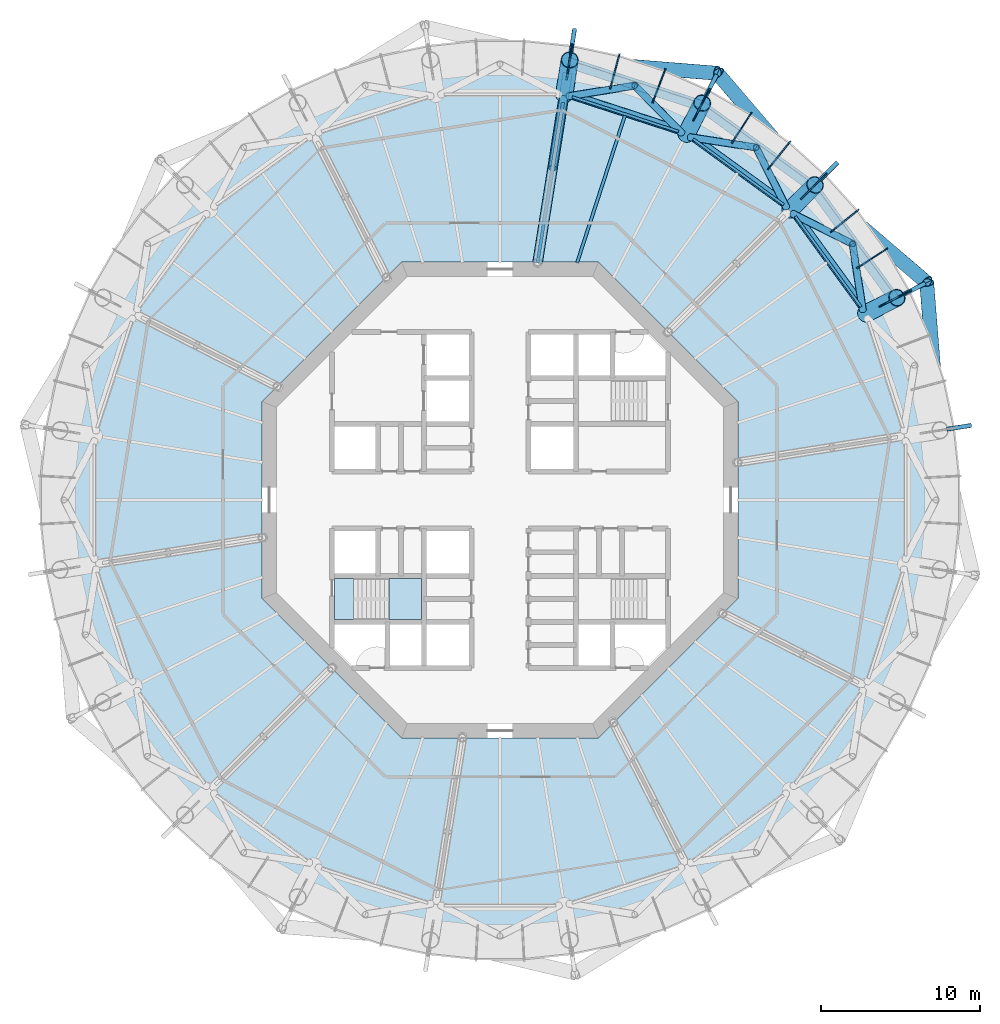
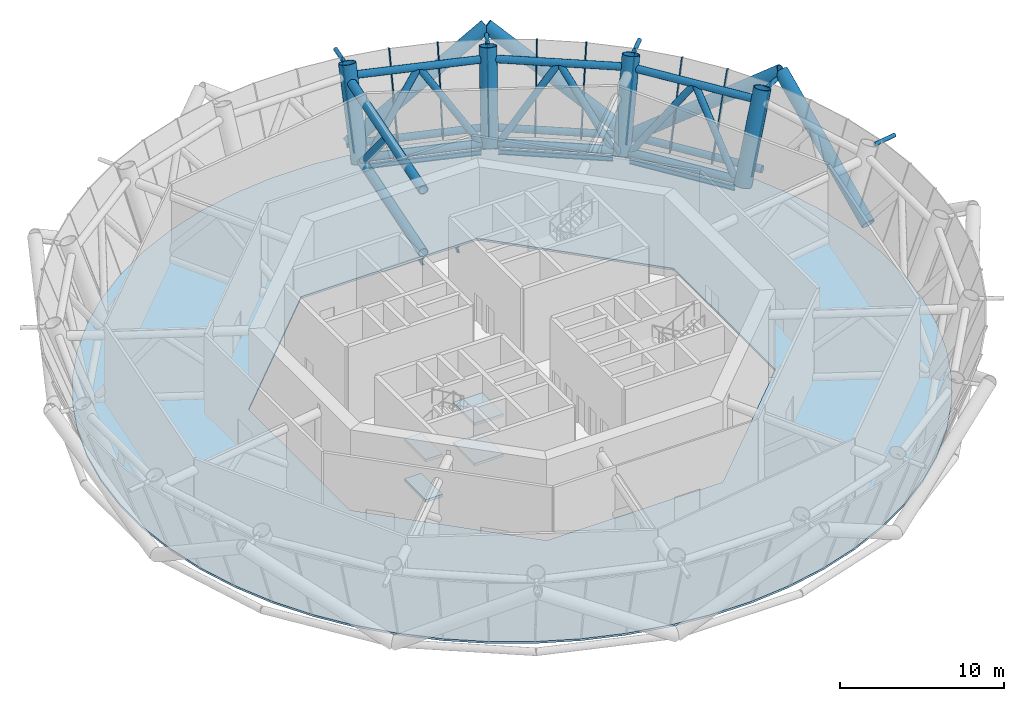
# One storey, part 6 of 15: 41 members, 5 beams, 5 slabs, 5 elements without a shape of their own.
"""IFC4 building model written with IfcOpenShell, lengths in metres."""

from ifc_helpers import new_model, si_unit, direction, frame, origin, origin_2d, place, context, subcontext, project, spatial, polyline, rectangle, circle, hollow_circle, i_section, outline, extrude, material, layer, layer_set, material_profile, profile_set, type_object, element, aggregate, save


model = new_model("IFC4")

# Units and contexts
model_context = context("Model", 3, precision=1e-05, world=origin(), true_north=direction((0.0, 1.0)))
body_context = subcontext(model_context, "Body", "Model", "MODEL_VIEW")
ifc_project = project(units=[si_unit("LENGTHUNIT", "METRE"), si_unit("AREAUNIT", "SQUARE_METRE"), si_unit("VOLUMEUNIT", "CUBIC_METRE"), si_unit("PLANEANGLEUNIT", "RADIAN"), si_unit("MASSUNIT", "GRAM", prefix="KILO")], contexts=[model_context])

# Site, building, storey
site_placement = place(None, origin())
site = spatial("IfcSite", under=ifc_project, at=site_placement, CompositionType="ELEMENT")
building_placement = place(site_placement, origin())
building = spatial("IfcBuilding", under=site, at=building_placement, Name="Entoto Ring Tower", CompositionType="ELEMENT")
storey_placement = place(building_placement, frame((0.0, 0.0, 268.0)))
storey = spatial("IfcBuildingStorey", under=building, at=storey_placement, Name="L61", CompositionType="ELEMENT", Elevation=268.0)

# Members
ifc_material_1 = material(Name="Steel S355", Category="steel")
ifc_material_profile_1 = material_profile(ifc_material_1, hollow_circle(Radius=0.449951171875, WallThickness=0.044921875, at=origin_2d()), Name="CHS 900 x 45")
ifc_material_2 = material(Name="Concrete C60/75", Category="concrete")
ifc_material_profile_2 = material_profile(ifc_material_2, circle(Radius=0.405029296875, at=origin_2d()), Name="Concrete C60/75 infill")
ifc_profile_set_1 = profile_set([ifc_material_profile_1, ifc_material_profile_2], Name="Steel S355")
member_type_1 = type_object("IfcMemberType", Name="Diagrid diagonal 900 x 45 concrete-filled tube", PredefinedType="BRACE", material=ifc_profile_set_1)
for number, where, z_axis, x_axis, name in (
    (1, (117.6552734375, 84.380126953125, 0.0), (-0.067171964206, 0.839199397204, 0.539659428675), (-0.99681187731, -0.079787726213, 0.0), "DG2 module 21 02"),
    (2, (109.799072265625, 99.799072265625, 0.0), (0.639435344437, -0.547626306831, 0.539655323657), (0.650475563514, 0.759527182707, 0.0), "DG2 module 21 03"),
    (3, (109.799072265625, 99.799072265625, 0.0), (-0.547626306831, 0.639435344437, 0.539655323657), (-0.759527182707, -0.650475563514, 0.0), "DG2 module 21 04"),
    (4, (94.380126953125, 107.6552734375, 0.0), (0.839199397204, -0.067171964206, 0.539659428675), (0.079787726213, 0.99681187731, 0.0), "DG2 module 21 05"),
):
    element("IfcMember", number, at=place(storey_placement, frame(where, z_axis=z_axis, x_axis=x_axis)), inside=storey, type_object=member_type_1, Name=name, PredefinedType="BRACE", context=body_context, shape_type="SweptSolid", body=[
        extrude(hollow_circle(Radius=0.449951171875, WallThickness=0.044921875, at=origin_2d()), origin(), (0.0, 0.0, 1.0), 11.1181640625),
    ])
ifc_material_3 = material(Name="Steel S355", Category="steel")
ifc_material_profile_3 = material_profile(ifc_material_3, hollow_circle(Radius=0.136474609375, WallThickness=0.012451171875, at=origin_2d()), Name="CHS 273 x 12.5")
ifc_material_4 = material(Name="Concrete C60/75", Category="concrete")
ifc_material_profile_4 = material_profile(ifc_material_4, circle(Radius=0.1240234375, at=origin_2d()), Name="Concrete C60/75 infill")
ifc_profile_set_2 = profile_set([ifc_material_profile_3, ifc_material_profile_4], Name="Steel S355")
member_type_2 = type_object("IfcMemberType", Name="Diagrid node strut 273 x 12.5", PredefinedType="STRUT", material=ifc_profile_set_2)
member_1_placement = place(storey_placement, frame((115.416015625, 92.949951171875, 5.71337890625), z_axis=(0.890990991259, 0.454020983541, 0.0), x_axis=(-0.454020983541, 0.890990991259, 0.0)))
element("IfcMember", 5, at=member_1_placement, inside=storey, type_object=member_type_2, Name="DS2 strut ring 21 01", PredefinedType="STRUT", context=body_context, shape_type="SweptSolid", body=[
    extrude(hollow_circle(Radius=0.136474609375, WallThickness=0.012451171875, at=origin_2d()), origin(), (0.0, 0.0, 1.0), 1.574951171875),
])
member_2_placement = place(storey_placement, frame((110.170166015625, 100.170166015625, 5.71337890625), z_axis=(0.707106781187, 0.707106781187, 0.0), x_axis=(-0.707106781187, 0.707106781187, 0.0)))
element("IfcMember", 6, at=member_2_placement, inside=storey, type_object=member_type_2, Name="DS2 strut ring 21 02", PredefinedType="STRUT", context=body_context, shape_type="SweptSolid", body=[
    extrude(hollow_circle(Radius=0.136474609375, WallThickness=0.012451171875, at=origin_2d()), origin(), (0.0, 0.0, 1.0), 1.5751953125),
])
for number, where, z_axis, x_axis, name in (
    (7, (102.949951171875, 105.416015625, 5.71337890625), (0.454020983541, 0.890990991259, 0.0), (-0.890990991259, 0.454020983541, 0.0), "DS2 strut ring 21 03"),
    (8, (94.46240234375, 108.173828125, 5.71337890625), (0.156400343382, 0.987693744331, 0.0), (-0.987693744331, 0.156400343382, 0.0), "DS2 strut ring 21 04"),
    (9, (118.173828125, 84.46240234375, 5.71337890625), (0.987693744331, 0.156400343382, 0.0), (-0.156400343382, 0.987693744331, 0.0), "DS2 strut ring 21 20"),
):
    element("IfcMember", number, at=place(storey_placement, frame(where, z_axis=z_axis, x_axis=x_axis)), inside=storey, type_object=member_type_2, Name=name, PredefinedType="STRUT", context=body_context, shape_type="SweptSolid", body=[
        extrude(hollow_circle(Radius=0.136474609375, WallThickness=0.012451171875, at=origin_2d()), origin(), (0.0, 0.0, 1.0), 1.574951171875),
    ])
ifc_material_5 = material(Name="Steel S355", Category="steel")
ifc_material_profile_5 = material_profile(ifc_material_5, hollow_circle(Radius=0.25390625, WallThickness=0.030029296875, at=origin_2d()), Name="CHS 508 x 30")
ifc_material_6 = material(Name="Concrete C60/75", Category="concrete")
ifc_material_profile_6 = material_profile(ifc_material_6, circle(Radius=0.22412109375, at=origin_2d()), Name="Concrete C60/75 infill")
ifc_profile_set_3 = profile_set([ifc_material_profile_5, ifc_material_profile_6], Name="Steel S355")
member_type_3 = type_object("IfcMemberType", Name="Diagrid ring beam 508 x 30", PredefinedType="CHORD", material=ifc_profile_set_3)
for number, where, z_axis, x_axis, name in (
    (10, (114.983642578125, 92.6630859375, 0.0), (-0.587790766961, 0.809012987705, 0.0), (-0.809012987705, -0.587790766961, 0.0), "DR2 ring 20 02"),
    (11, (109.84765625, 99.763671875, 0.0), (-0.809012987705, 0.587790766961, 0.0), (-0.587790766961, -0.809012987705, 0.0), "DR2 ring 20 03"),
    (12, (102.76904296875, 104.9296875, 0.0), (-0.951061338755, 0.309002151976, 0.0), (-0.309002151976, -0.951061338755, 0.0), "DR2 ring 20 04"),
):
    element("IfcMember", number, at=place(storey_placement, frame(where, z_axis=z_axis, x_axis=x_axis)), inside=storey, type_object=member_type_3, Name=name, PredefinedType="CHORD", context=body_context, shape_type="SweptSolid", body=[
        extrude(hollow_circle(Radius=0.25390625, WallThickness=0.030029296875, at=origin_2d()), origin(), (0.0, 0.0, 1.0), 8.880615234375),
    ])

# Beams
ifc_material_7 = material(Name="Steel S355", Category="steel")
ifc_material_profile_7 = material_profile(ifc_material_7, i_section(OverallWidth=0.169921875, OverallDepth=0.360107421875, WebThickness=0.008056640625, FlangeThickness=0.0126953125, FilletRadius=0.01806640625, at=origin_2d()), Name="IPE 360")
ifc_profile_set_4 = profile_set([ifc_material_profile_7], Name="Steel S355")
beam_type_1 = type_object("IfcBeamType", Name="Edge beam IPE 360", PredefinedType="SPANDREL", material=ifc_profile_set_4)
for number, where, z_axis, x_axis, name in (
    (13, (112.76953125, 92.181640625, -0.330078125), (-0.587797242693, 0.809008282703, 0.0), (-0.809008282703, -0.587797242693, 0.0), "Edge beam L61 02"),
    (14, (107.890625, 98.62158203125, -0.330078125), (-0.809008282703, 0.587797242693, 0.0), (-0.587797242693, -0.809008282703, 0.0), "Edge beam L61 03"),
    (15, (101.2607421875, 103.23876953125, -0.330078125), (-0.951056947905, 0.309015666013, 0.0), (-0.309015666013, -0.951056947905, 0.0), "Edge beam L61 04"),
):
    element("IfcBeam", number, at=place(storey_placement, frame(where, z_axis=z_axis, x_axis=x_axis)), inside=storey, type_object=beam_type_1, Name=name, PredefinedType="SPANDREL", context=body_context, shape_type="SweptSolid", body=[
        extrude(i_section(OverallWidth=0.169921875, OverallDepth=0.360107421875, WebThickness=0.008056640625, FlangeThickness=0.0126953125, FilletRadius=0.01806640625, at=origin_2d()), origin(), (0.0, 0.0, 1.0), 7.056884765625),
    ])

# Curtain wall, members
ifc_material_8 = material(Name="Anodised aluminium", Category="aluminium")
ifc_layer_1 = layer(ifc_material_8, 0.10009765625)
ifc_layer_set_1 = layer_set([ifc_layer_1], Name="Anodised aluminium")
curtain_wall_type = type_object("IfcCurtainWallType", Name="Louvre curtain wall system CW7", PredefinedType="NOTDEFINED", material=ifc_layer_set_1)
curtain_wall_1_placement = place(storey_placement, origin())
curtain_wall_1 = element("IfcCurtainWall", 16, at=curtain_wall_1_placement, inside=storey, type_object=curtain_wall_type, Name="CW7 L61-02", PredefinedType="NOTDEFINED")
ifc_material_9 = material(Name="Anodised aluminium", Category="aluminium")
ifc_material_profile_8 = material_profile(ifc_material_9, rectangle(XDim=0.080078125, YDim=0.199951171875, at=origin_2d()), Name="Mullion 80 x 200 mm anodised aluminium")
ifc_profile_set_5 = profile_set([ifc_material_profile_8], Name="Anodised aluminium")
member_type_4 = type_object("IfcMemberType", Name="Mullion 80 x 200 mm anodised aluminium", PredefinedType="MULLION", material=ifc_profile_set_5)
member_3_placement = place(storey_placement, frame((113.985107421875, 92.220947265625, 0.034423828125), z_axis=(0.306721620039, 0.156294806902, 0.938879002394), x_axis=(-0.454018947449, 0.890992028784, 0.0)))
member_3 = element("IfcMember", 17, at=member_3_placement, type_object=member_type_4, Name="MULLION L61-03", PredefinedType="MULLION", context=body_context, shape_type="SweptSolid", body=[
    extrude(rectangle(XDim=0.080078125, YDim=0.199951171875, at=origin_2d()), origin(), (0.0, 0.0, 1.0), 6.15771484375),
])
member_4_placement = place(storey_placement, frame((112.576171875, 94.6611328125, 0.034423828125), z_axis=(0.288719812628, 0.187497389991, 0.938874644744), x_axis=(-0.544640161527, 0.838669836379, 0.0)))
member_4 = element("IfcMember", 18, at=member_4_placement, type_object=member_type_4, Name="MULLION L61-04", PredefinedType="MULLION", context=body_context, shape_type="SweptSolid", body=[
    extrude(rectangle(XDim=0.080078125, YDim=0.199951171875, at=origin_2d()), origin(), (0.0, 0.0, 1.0), 6.15771484375),
])
member_5_placement = place(storey_placement, frame((110.920166015625, 96.940673828125, 0.034423828125), z_axis=(0.267510778801, 0.216641306561, 0.938884725361), x_axis=(-0.629347320868, 0.777124153348, 0.0)))
member_5 = element("IfcMember", 19, at=member_5_placement, type_object=member_type_4, Name="MULLION L61-05", PredefinedType="MULLION", context=body_context, shape_type="SweptSolid", body=[
    extrude(rectangle(XDim=0.080078125, YDim=0.199951171875, at=origin_2d()), origin(), (0.0, 0.0, 1.0), 6.157470703125),
])
aggregate(curtain_wall_1, [member_3, member_4, member_5])

curtain_wall_2_placement = place(storey_placement, origin())
curtain_wall_2 = element("IfcCurtainWall", 20, at=curtain_wall_2_placement, inside=storey, type_object=curtain_wall_type, Name="CW7 L61-03", PredefinedType="NOTDEFINED")
member_6_placement = place(storey_placement, frame((109.03466796875, 99.03466796875, 0.034423828125), z_axis=(0.243439738428, 0.243439738428, 0.938868567749), x_axis=(-0.707106781187, 0.707106781187, 0.0)))
member_6 = element("IfcMember", 21, at=member_6_placement, type_object=member_type_4, Name="MULLION L61-06", PredefinedType="MULLION", context=body_context, shape_type="SweptSolid", body=[
    extrude(rectangle(XDim=0.080078125, YDim=0.199951171875, at=origin_2d()), origin(), (0.0, 0.0, 1.0), 6.15771484375),
])
member_7_placement = place(storey_placement, frame((106.940673828125, 100.920166015625, 0.034423828125), z_axis=(0.216641306561, 0.267510778801, 0.938884725361), x_axis=(-0.777124153348, 0.629347320868, 0.0)))
member_7 = element("IfcMember", 22, at=member_7_placement, type_object=member_type_4, Name="MULLION L61-07", PredefinedType="MULLION", context=body_context, shape_type="SweptSolid", body=[
    extrude(rectangle(XDim=0.080078125, YDim=0.199951171875, at=origin_2d()), origin(), (0.0, 0.0, 1.0), 6.157470703125),
])
member_8_placement = place(storey_placement, frame((104.6611328125, 102.576171875, 0.034423828125), z_axis=(0.187497389991, 0.288719812628, 0.938874644744), x_axis=(-0.838669836379, 0.544640161527, 0.0)))
member_8 = element("IfcMember", 23, at=member_8_placement, type_object=member_type_4, Name="MULLION L61-08", PredefinedType="MULLION", context=body_context, shape_type="SweptSolid", body=[
    extrude(rectangle(XDim=0.080078125, YDim=0.199951171875, at=origin_2d()), origin(), (0.0, 0.0, 1.0), 6.15771484375),
])
aggregate(curtain_wall_2, [member_6, member_7, member_8])

curtain_wall_3_placement = place(storey_placement, origin())
curtain_wall_3 = element("IfcCurtainWall", 24, at=curtain_wall_3_placement, inside=storey, type_object=curtain_wall_type, Name="CW7 L61-04", PredefinedType="NOTDEFINED")
member_9_placement = place(storey_placement, frame((102.220947265625, 103.985107421875, 0.034423828125), z_axis=(0.156294806902, 0.306721620039, 0.938879002394), x_axis=(-0.890992028784, 0.454018947449, 0.0)))
member_9 = element("IfcMember", 25, at=member_9_placement, type_object=member_type_4, Name="MULLION L61-09", PredefinedType="MULLION", context=body_context, shape_type="SweptSolid", body=[
    extrude(rectangle(XDim=0.080078125, YDim=0.199951171875, at=origin_2d()), origin(), (0.0, 0.0, 1.0), 6.15771484375),
])
member_10_placement = place(storey_placement, frame((99.64697265625, 105.131103515625, 0.034423828125), z_axis=(0.123346766699, 0.321391478901, 0.938878635626), x_axis=(-0.933603616536, 0.358307531587, 0.0)))
member_10 = element("IfcMember", 26, at=member_10_placement, type_object=member_type_4, Name="MULLION L61-10", PredefinedType="MULLION", context=body_context, shape_type="SweptSolid", body=[
    extrude(rectangle(XDim=0.080078125, YDim=0.199951171875, at=origin_2d()), origin(), (0.0, 0.0, 1.0), 6.15771484375),
])
member_11_placement = place(storey_placement, frame((96.96728515625, 106.001953125, 0.034423828125), z_axis=(0.089091192994, 0.332496103447, 0.938887160698), x_axis=(-0.965926457713, 0.258816688586, 0.0)))
member_11 = element("IfcMember", 27, at=member_11_placement, type_object=member_type_4, Name="MULLION L61-11", PredefinedType="MULLION", context=body_context, shape_type="SweptSolid", body=[
    extrude(rectangle(XDim=0.080078125, YDim=0.199951171875, at=origin_2d()), origin(), (0.0, 0.0, 1.0), 6.157470703125),
])
aggregate(curtain_wall_3, [member_9, member_10, member_11])

# Curtain wall, member
curtain_wall_4_placement = place(storey_placement, origin())
curtain_wall_4 = element("IfcCurtainWall", 28, at=curtain_wall_4_placement, inside=storey, type_object=curtain_wall_type, Name="CW7 L61-05", PredefinedType="NOTDEFINED")
member_12_placement = place(storey_placement, frame((94.211181640625, 106.587646484375, 0.034423828125), z_axis=(0.05384251649, 0.340024610762, 0.938873925239), x_axis=(-0.987693766667, 0.156400202324, 0.0)))
member_12 = element("IfcMember", 29, at=member_12_placement, type_object=member_type_4, Name="MULLION L61-12", PredefinedType="MULLION", context=body_context, shape_type="SweptSolid", body=[
    extrude(rectangle(XDim=0.080078125, YDim=0.199951171875, at=origin_2d()), origin(), (0.0, 0.0, 1.0), 6.15771484375),
])
aggregate(curtain_wall_4, [member_12])

# Members
ifc_material_10 = material(Name="Steel S355", Category="steel")
ifc_material_profile_9 = material_profile(ifc_material_10, hollow_circle(Radius=0.304931640625, WallThickness=0.030029296875, at=origin_2d()), Name="CHS 610 x 30")
ifc_material_11 = material(Name="Concrete C60/75", Category="concrete")
ifc_material_profile_10 = material_profile(ifc_material_11, circle(Radius=0.27490234375, at=origin_2d()), Name="Concrete C60/75 infill")
ifc_profile_set_6 = profile_set([ifc_material_profile_9, ifc_material_profile_10], Name="Steel S355")
member_type_5 = type_object("IfcMemberType", Name="Outrigger chord 610 x 30", PredefinedType="CHORD", material=ifc_profile_set_6)
member_13_placement = place(storey_placement, frame((92.364990234375, 94.9326171875, 0.304931640625), z_axis=(0.156449566663, 0.987685948615, 0.0), x_axis=(-0.987685948615, 0.156449566663, 0.0)))
element("IfcMember", 30, at=member_13_placement, inside=storey, type_object=member_type_5, Name="OR1B L61 bottom 03", PredefinedType="CHORD", context=body_context, shape_type="SweptSolid", body=[
    extrude(hollow_circle(Radius=0.304931640625, WallThickness=0.030029296875, at=origin_2d()), origin(), (0.0, 0.0, 1.0), 10.42578125),
])
member_14_placement = place(storey_placement, frame((92.364990234375, 94.9326171875, 4.9951171875), z_axis=(0.156449770763, 0.987685916285, 0.0), x_axis=(-0.987685916285, 0.156449770763, 0.0)))
element("IfcMember", 31, at=member_14_placement, inside=storey, type_object=member_type_5, Name="OR1B L61 top 03", PredefinedType="CHORD", context=body_context, shape_type="SweptSolid", body=[
    extrude(hollow_circle(Radius=0.304931640625, WallThickness=0.030029296875, at=origin_2d()), origin(), (0.0, 0.0, 1.0), 12.1455078125),
])
ifc_material_12 = material(Name="Steel S355", Category="steel")
ifc_material_profile_11 = material_profile(ifc_material_12, hollow_circle(Radius=0.25390625, WallThickness=0.030029296875, at=origin_2d()), Name="CHS 508 x 30")
ifc_material_13 = material(Name="Concrete C60/75", Category="concrete")
ifc_material_profile_12 = material_profile(ifc_material_13, circle(Radius=0.22412109375, at=origin_2d()), Name="Concrete C60/75 infill")
ifc_profile_set_7 = profile_set([ifc_material_profile_11, ifc_material_profile_12], Name="Steel S355")
member_type_6 = type_object("IfcMemberType", Name="Outrigger diagonal 508 x 30", PredefinedType="BRACE", material=ifc_profile_set_7)
member_15_placement = place(storey_placement, frame((93.31396484375, 100.92333984375, 4.9951171875), z_axis=(0.1054207135, 0.665590911543, -0.738833683339), x_axis=(-0.987688003669, 0.156436592292, 0.0)))
element("IfcMember", 32, at=member_15_placement, inside=storey, type_object=member_type_6, Name="OR2B L61 03 2", PredefinedType="BRACE", context=body_context, shape_type="SweptSolid", body=[
    extrude(hollow_circle(Radius=0.25390625, WallThickness=0.030029296875, at=origin_2d()), origin(), (0.0, 0.0, 1.0), 6.59326171875),
])

# Beam
ifc_material_14 = material(Name="Steel S355", Category="steel")
ifc_material_profile_13 = material_profile(ifc_material_14, i_section(OverallWidth=0.199951171875, OverallDepth=0.5, WebThickness=0.01025390625, FlangeThickness=0.01611328125, FilletRadius=0.02099609375, at=origin_2d()), Name="IPE 500")
ifc_profile_set_8 = profile_set([ifc_material_profile_13], Name="Steel S355")
beam_type_2 = type_object("IfcBeamType", Name="Primary floor beam IPE 500", PredefinedType="BEAM", material=ifc_profile_set_8)
beam_1_placement = place(storey_placement, frame((92.3701171875, 94.964599609375, -0.39990234375), z_axis=(0.156439360602, 0.987687565202, 0.0), x_axis=(-0.987687565202, 0.156439360602, 0.0)))
element("IfcBeam", 33, at=beam_1_placement, inside=storey, type_object=beam_type_2, Name="Primary L61 R05", PredefinedType="BEAM", context=body_context, shape_type="SweptSolid", body=[
    extrude(i_section(OverallWidth=0.199951171875, OverallDepth=0.5, WebThickness=0.01025390625, FlangeThickness=0.01611328125, FilletRadius=0.02099609375, at=origin_2d()), origin(), (0.0, 0.0, 1.0), 10.228271484375),
])

# Members
ifc_material_15 = material(Name="Steel S355", Category="steel")
ifc_material_profile_14 = material_profile(ifc_material_15, hollow_circle(Radius=0.550048828125, WallThickness=0.044921875, at=origin_2d()), Name="CHS 1100 x 45")
ifc_material_16 = material(Name="Concrete C60/75", Category="concrete")
ifc_material_profile_15 = material_profile(ifc_material_16, circle(Radius=0.5048828125, at=origin_2d()), Name="Concrete C60/75 infill")
ifc_profile_set_9 = profile_set([ifc_material_profile_14, ifc_material_profile_15], Name="Steel S355")
member_type_7 = type_object("IfcMemberType", Name="Ring column jog 1100 x 45 concrete-filled tube", PredefinedType="STRUT", material=ifc_profile_set_9)
for number, where, z_axis, x_axis, name in (
    (34, (113.0771484375, 91.75830078125, 0.0), (0.306731822092, 0.156288439927, 0.938876729322), (-0.453992276384, 0.891005618941, 0.0), "RJ4B R02"),
    (35, (108.31396484375, 98.31396484375, 0.0), (0.243428816819, 0.243428816819, 0.938874231346), (-0.707106781187, 0.707106781187, 0.0), "RJ4B R03"),
    (36, (101.75830078125, 103.0771484375, 0.0), (0.156288439927, 0.306731822092, 0.938876729322), (-0.891005618941, 0.453992276384, 0.0), "RJ4B R04"),
    (37, (94.0517578125, 105.5810546875, 0.0), (0.053827545825, 0.340041863298, 0.938868535267), (-0.987701708488, 0.156350040137, 0.0), "RJ4B R05"),
):
    element("IfcMember", number, at=place(storey_placement, frame(where, z_axis=z_axis, x_axis=x_axis)), inside=storey, type_object=member_type_7, Name=name, PredefinedType="STRUT", context=body_context, shape_type="SweptSolid", body=[
        extrude(hollow_circle(Radius=0.550048828125, WallThickness=0.044921875, at=origin_2d()), origin(), (0.0, 0.0, 1.0), 6.390625),
    ])
ifc_material_17 = material(Name="Steel S355", Category="steel")
ifc_material_profile_16 = material_profile(ifc_material_17, hollow_circle(Radius=0.25390625, WallThickness=0.030029296875, at=origin_2d()), Name="CHS 508 x 30")
ifc_material_18 = material(Name="Concrete C60/75", Category="concrete")
ifc_material_profile_17 = material_profile(ifc_material_18, circle(Radius=0.22412109375, at=origin_2d()), Name="Concrete C60/75 infill")
ifc_profile_set_10 = profile_set([ifc_material_profile_16, ifc_material_profile_17], Name="Steel S355")
member_type_8 = type_object("IfcMemberType", Name="Ring truss chord 508 x 30", PredefinedType="CHORD", material=ifc_profile_set_10)
member_16_placement = place(storey_placement, frame((112.883056640625, 92.18212890625, 0.25390625), z_axis=(-0.587804161843, 0.809003255445, 0.0), x_axis=(-0.809003255445, -0.587804161843, 0.0)))
element("IfcMember", 38, at=member_16_placement, inside=storey, type_object=member_type_8, Name="BT1 L61 bottom 02", PredefinedType="CHORD", context=body_context, shape_type="SweptSolid", body=[
    extrude(hollow_circle(Radius=0.25390625, WallThickness=0.030029296875, at=origin_2d()), origin(), (0.0, 0.0, 1.0), 7.189697265625),
])
member_17_placement = place(storey_placement, frame((114.510498046875, 93.011474609375, 5.236083984375), z_axis=(-0.587780707542, 0.80902029631, 0.0), x_axis=(-0.80902029631, -0.587780707542, 0.0)))
element("IfcMember", 39, at=member_17_placement, inside=storey, type_object=member_type_8, Name="BT1 L61 top 02", PredefinedType="CHORD", context=body_context, shape_type="SweptSolid", body=[
    extrude(hollow_circle(Radius=0.25390625, WallThickness=0.030029296875, at=origin_2d()), origin(), (0.0, 0.0, 1.0), 7.760986328125),
])
member_18_placement = place(storey_placement, frame((107.99853515625, 98.656982421875, 0.25390625), z_axis=(-0.809003255445, 0.587804161843, 0.0), x_axis=(-0.587804161843, -0.809003255445, 0.0)))
element("IfcMember", 40, at=member_18_placement, inside=storey, type_object=member_type_8, Name="BT1 L61 bottom 03", PredefinedType="CHORD", context=body_context, shape_type="SweptSolid", body=[
    extrude(hollow_circle(Radius=0.25390625, WallThickness=0.030029296875, at=origin_2d()), origin(), (0.0, 0.0, 1.0), 7.189697265625),
])
member_19_placement = place(storey_placement, frame((109.290283203125, 99.94873046875, 5.236083984375), z_axis=(-0.80902029631, 0.587780707542, 0.0), x_axis=(-0.587780707542, -0.80902029631, 0.0)))
element("IfcMember", 41, at=member_19_placement, inside=storey, type_object=member_type_8, Name="BT1 L61 top 03", PredefinedType="CHORD", context=body_context, shape_type="SweptSolid", body=[
    extrude(hollow_circle(Radius=0.25390625, WallThickness=0.030029296875, at=origin_2d()), origin(), (0.0, 0.0, 1.0), 7.760986328125),
])
member_20_placement = place(storey_placement, frame((101.352294921875, 103.3056640625, 0.25390625), z_axis=(-0.951056775099, 0.309016197858, 0.0), x_axis=(-0.309016197858, -0.951056775099, 0.0)))
element("IfcMember", 42, at=member_20_placement, inside=storey, type_object=member_type_8, Name="BT1 L61 bottom 04", PredefinedType="CHORD", context=body_context, shape_type="SweptSolid", body=[
    extrude(hollow_circle(Radius=0.25390625, WallThickness=0.030029296875, at=origin_2d()), origin(), (0.0, 0.0, 1.0), 7.189453125),
])
member_21_placement = place(storey_placement, frame((102.181640625, 104.933349609375, 5.236083984375), z_axis=(-0.951053022584, 0.309027746705, 0.0), x_axis=(-0.309027746705, -0.951053022584, 0.0)))
element("IfcMember", 43, at=member_21_placement, inside=storey, type_object=member_type_8, Name="BT1 L61 top 04", PredefinedType="CHORD", context=body_context, shape_type="SweptSolid", body=[
    extrude(hollow_circle(Radius=0.25390625, WallThickness=0.030029296875, at=origin_2d()), origin(), (0.0, 0.0, 1.0), 7.76123046875),
])
ifc_material_19 = material(Name="Steel S355", Category="steel")
ifc_material_profile_18 = material_profile(ifc_material_19, hollow_circle(Radius=0.228515625, WallThickness=0.02001953125, at=origin_2d()), Name="CHS 457 x 20")
ifc_material_20 = material(Name="Concrete C60/75", Category="concrete")
ifc_material_profile_19 = material_profile(ifc_material_20, circle(Radius=0.20849609375, at=origin_2d()), Name="Concrete C60/75 infill")
ifc_profile_set_11 = profile_set([ifc_material_profile_18, ifc_material_profile_19], Name="Steel S355")
member_type_9 = type_object("IfcMemberType", Name="Ring truss diagonal 457 x 20", PredefinedType="BRACE", material=ifc_profile_set_11)
for number, where, z_axis, x_axis, name in (
    (44, (112.8759765625, 91.99365234375, -0.0673828125), (-0.095462688762, 0.614106031068, 0.783428782763), (-0.988132328169, -0.153605019536, 0.0), "BT2 L61 02 a"),
    (45, (112.229736328125, 96.15087890625, 5.236083984375), (-0.55453658299, 0.280550213259, -0.7834416098), (-0.451433359006, -0.892304837136, 0.0), "BT2 L61 02 b"),
    (46, (108.050048828125, 98.475830078125, -0.0673828125), (-0.280550213259, 0.55453658299, 0.7834416098), (-0.892304837136, -0.451433359006, 0.0), "BT2 L61 03 a"),
    (47, (106.15087890625, 102.229736328125, 5.236083984375), (-0.614106031068, 0.095462688762, -0.783428782763), (-0.153605019536, -0.988132328169, 0.0), "BT2 L61 03 b"),
    (48, (101.457275390625, 103.149169921875, -0.0673828125), (-0.438185899021, 0.440710426835, 0.78343310983), (-0.709134938062, -0.705072790299, 0.0), "BT2 L61 04 a"),
    (49, (98.490966796875, 106.132568359375, 5.236083984375), (-0.61353766283, -0.098962341101, -0.783439845383), (0.159239736959, -0.987239943567, 0.0), "BT2 L61 04 b"),
):
    element("IfcMember", number, at=place(storey_placement, frame(where, z_axis=z_axis, x_axis=x_axis)), inside=storey, type_object=member_type_9, Name=name, PredefinedType="BRACE", context=body_context, shape_type="SweptSolid", body=[
        extrude(hollow_circle(Radius=0.228515625, WallThickness=0.02001953125, at=origin_2d()), origin(), (0.0, 0.0, 1.0), 6.76953125),
    ])

# Beam
ifc_material_21 = material(Name="Steel S355", Category="steel")
ifc_material_profile_20 = material_profile(ifc_material_21, i_section(OverallWidth=0.18994140625, OverallDepth=0.449951171875, WebThickness=0.009521484375, FlangeThickness=0.0146484375, FilletRadius=0.02099609375, at=origin_2d()), Name="IPE 450")
ifc_profile_set_12 = profile_set([ifc_material_profile_20], Name="Steel S355")
beam_type_3 = type_object("IfcBeamType", Name="Secondary floor beam IPE 450", PredefinedType="JOIST", material=ifc_profile_set_12)
beam_2_placement = place(storey_placement, frame((94.858154296875, 94.95166015625, -0.375), z_axis=(0.309003053144, 0.951061045963, 0.0), x_axis=(-0.951061045963, 0.309003053144, 0.0)))
element("IfcBeam", 50, at=beam_2_placement, inside=storey, type_object=beam_type_3, Name="Secondary beam L61 04", PredefinedType="JOIST", context=body_context, shape_type="SweptSolid", body=[
    extrude(i_section(OverallWidth=0.18994140625, OverallDepth=0.449951171875, WebThickness=0.009521484375, FlangeThickness=0.0146484375, FilletRadius=0.02099609375, at=origin_2d()), origin(), (0.0, 0.0, 1.0), 9.77490234375),
])

# Slab
ifc_material_22 = material(Name="Concrete C30/37", Category="concrete")
ifc_layer_2 = layer(ifc_material_22, 0.14990234375)
ifc_layer_set_2 = layer_set([ifc_layer_2], Name="Concrete C30/37")
slab_type_1 = type_object("IfcSlabType", Name="Composite floor slab 150 mm", PredefinedType="FLOOR", material=ifc_layer_set_2)
slab_1_placement = place(storey_placement, frame((0.0, 0.0, -0.14990234375)))
element("IfcSlab", 51, at=slab_1_placement, inside=storey, type_object=slab_type_1, Name="Floor slab L61", PredefinedType="FLOOR", context=body_context, shape_type="SweptSolid", body=[
    extrude(outline(polyline([(116.56884765625, 84.2080078125), (115.9833984375, 86.962158203125), (115.11328125, 89.64013671875), (113.968017578125, 92.21240234375), (112.560302734375, 94.65087890625), (110.9052734375, 96.9287109375), (109.021240234375, 99.021240234375), (106.9287109375, 100.9052734375), (104.65087890625, 102.560302734375), (102.21240234375, 103.968017578125), (99.64013671875, 105.11328125), (96.962158203125, 105.9833984375), (94.2080078125, 106.56884765625), (91.407958984375, 106.863037109375), (88.592041015625, 106.863037109375), (85.7919921875, 106.56884765625), (83.037841796875, 105.9833984375), (80.35986328125, 105.11328125), (77.78759765625, 103.968017578125), (75.34912109375, 102.560302734375), (73.0712890625, 100.9052734375), (70.978759765625, 99.021240234375), (69.0947265625, 96.9287109375), (67.439697265625, 94.65087890625), (66.031982421875, 92.21240234375), (64.88671875, 89.64013671875), (64.0166015625, 86.962158203125), (63.43115234375, 84.2080078125), (63.136962890625, 81.407958984375), (63.136962890625, 78.592041015625), (63.43115234375, 75.7919921875), (64.0166015625, 73.037841796875), (64.88671875, 70.35986328125), (66.031982421875, 67.78759765625), (67.439697265625, 65.34912109375), (69.0947265625, 63.0712890625), (70.978759765625, 60.978759765625), (73.0712890625, 59.0947265625), (75.34912109375, 57.439697265625), (77.78759765625, 56.031982421875), (80.35986328125, 54.88671875), (83.037841796875, 54.0166015625), (85.7919921875, 53.43115234375), (88.592041015625, 53.136962890625), (91.407958984375, 53.136962890625), (94.2080078125, 53.43115234375), (96.962158203125, 54.0166015625), (99.64013671875, 54.88671875), (102.21240234375, 56.031982421875), (104.65087890625, 57.439697265625), (106.9287109375, 59.0947265625), (109.021240234375, 60.978759765625), (110.9052734375, 63.0712890625), (112.560302734375, 65.34912109375), (113.968017578125, 67.78759765625), (115.11328125, 70.35986328125), (115.9833984375, 73.037841796875), (116.56884765625, 75.7919921875), (116.863037109375, 78.592041015625), (116.863037109375, 81.407958984375), (116.56884765625, 84.2080078125)]), holes=[polyline([(105.0, 73.786865234375), (105.0, 86.213134765625), (96.213134765625, 95.0), (83.786865234375, 95.0), (75.0, 86.213134765625), (75.0, 73.786865234375), (83.786865234375, 65.0), (96.213134765625, 65.0), (105.0, 73.786865234375)])]), origin(), (0.0, 0.0, 1.0), 0.14990234375),
])

# Stair, slabs
ifc_material_23 = material(Name="Concrete C40/50", Category="concrete")
stair_type = type_object("IfcStairType", Name="Exit stair 1200 mm dog-leg reinforced concrete", PredefinedType="HALF_TURN_STAIR", material=ifc_material_23)
stair_placement = place(storey_placement, origin())
stair = element("IfcStair", 52, at=stair_placement, inside=storey, type_object=stair_type, Name="Exit stair 2", PredefinedType="HALF_TURN_STAIR")
ifc_material_24 = material(Name="Concrete C40/50", Category="concrete")
ifc_layer_3 = layer(ifc_material_24, 0.199951171875)
ifc_layer_set_3 = layer_set([ifc_layer_3], Name="Concrete C40/50")
slab_type_2 = type_object("IfcSlabType", Name="Stair landing 200 mm reinforced concrete", PredefinedType="LANDING", material=ifc_layer_set_3)
slab_2_placement = place(storey_placement, frame((0.0, 0.0, -0.199951171875)))
slab_2 = element("IfcSlab", 53, at=slab_2_placement, type_object=slab_type_2, Name="ST2 landing 1", PredefinedType="LANDING", context=body_context, shape_type="SweptSolid", body=[
    extrude(outline(polyline([(80.75, 72.449951171875), (80.75, 75.050048828125), (79.550048828125, 75.050048828125), (79.550048828125, 72.449951171875), (80.75, 72.449951171875)])), origin(), (0.0, 0.0, 1.0), 0.199951171875),
])
slab_3_placement = place(storey_placement, frame((0.0, 0.0, 1.300048828125)))
slab_3 = element("IfcSlab", 54, at=slab_3_placement, type_object=slab_type_2, Name="ST2 landing 2", PredefinedType="LANDING", context=body_context, shape_type="SweptSolid", body=[
    extrude(outline(polyline([(82.989990234375, 72.449951171875), (85.050048828125, 72.449951171875), (85.050048828125, 75.050048828125), (82.989990234375, 75.050048828125), (82.989990234375, 72.449951171875)])), origin(), (0.0, 0.0, 1.0), 0.199951171875),
])
slab_4_placement = place(storey_placement, frame((0.0, 0.0, 2.800048828125)))
slab_4 = element("IfcSlab", 55, at=slab_4_placement, type_object=slab_type_2, Name="ST2 landing 3", PredefinedType="LANDING", context=body_context, shape_type="SweptSolid", body=[
    extrude(outline(polyline([(79.550048828125, 72.449951171875), (80.75, 72.449951171875), (80.75, 75.050048828125), (79.550048828125, 75.050048828125), (79.550048828125, 72.449951171875)])), origin(), (0.0, 0.0, 1.0), 0.199951171875),
])
slab_5_placement = place(storey_placement, frame((0.0, 0.0, 4.300048828125)))
slab_5 = element("IfcSlab", 56, at=slab_5_placement, type_object=slab_type_2, Name="ST2 landing 4", PredefinedType="LANDING", context=body_context, shape_type="SweptSolid", body=[
    extrude(outline(polyline([(82.989990234375, 72.449951171875), (85.050048828125, 72.449951171875), (85.050048828125, 75.050048828125), (82.989990234375, 75.050048828125), (82.989990234375, 72.449951171875)])), origin(), (0.0, 0.0, 1.0), 0.199951171875),
])
aggregate(stair, [slab_2, slab_3, slab_4, slab_5])

save(model, "model.ifc")
